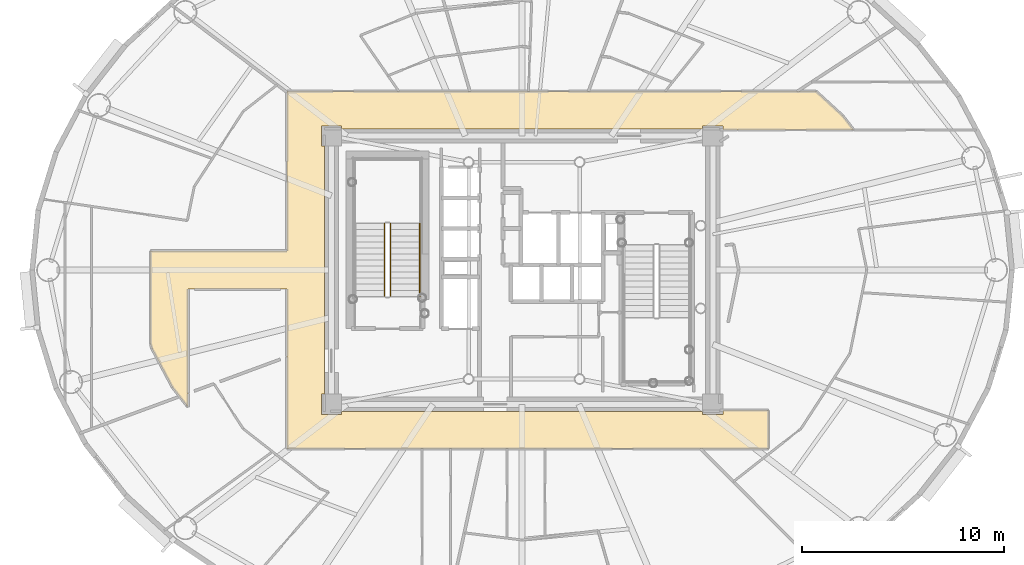
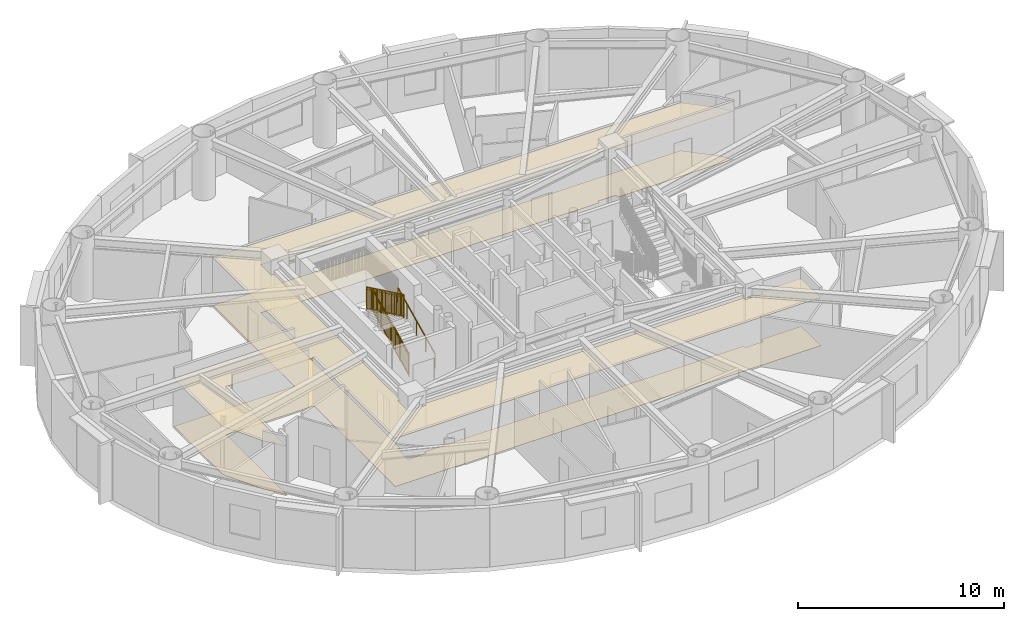
# One storey, part 14 of 19: 3 railings, 2 coverings.
"""IFC4 building model written with IfcOpenShell, lengths in metres."""

from ifc_helpers import new_model, si_unit, direction, frame, origin, origin_2d, place, context, subcontext, project, spatial, polyline, rectangle, outline, extrude, source, transform, mapped, material, layer, layer_set, type_object, element, save


model = new_model("IFC4")

# Units and contexts
model_context = context("Model", 3, precision=1e-05, world=origin(), true_north=direction((0.0, 1.0)))
body_context = subcontext(model_context, "Body", "Model", "MODEL_VIEW")
ifc_project = project(units=[si_unit("LENGTHUNIT", "METRE"), si_unit("AREAUNIT", "SQUARE_METRE"), si_unit("VOLUMEUNIT", "CUBIC_METRE"), si_unit("PLANEANGLEUNIT", "RADIAN"), si_unit("MASSUNIT", "GRAM", prefix="KILO")], contexts=[model_context])

# Site, building, storey
site_placement = place(None, origin())
site = spatial("IfcSite", under=ifc_project, at=site_placement, CompositionType="ELEMENT")
building_placement = place(site_placement, origin())
building = spatial("IfcBuilding", under=site, at=building_placement, Name="Linh Dai School and Residence Tower", CompositionType="ELEMENT")
storey_placement = place(building_placement, frame((0.0, 0.0, 217.800048828125)))
storey = spatial("IfcBuildingStorey", under=building, at=storey_placement, Name="L53", CompositionType="ELEMENT", Elevation=217.800048828125)

# Coverings
ifc_material_1 = material(Name="Mineral Fibre Acoustic Suspended Ceiling", Category="masonry")
ifc_layer_1 = layer(ifc_material_1, 0.02001953125)
ifc_layer_set_1 = layer_set([ifc_layer_1], Name="Mineral Fibre Acoustic Suspended Ceiling")
covering_type_1 = type_object("IfcCoveringType", Name="COV-CEIL-AC-20", PredefinedType="CEILING", material=ifc_layer_set_1)
covering_1_placement = place(storey_placement, frame((0.0, 0.0, 2.849853515625)))
element("IfcCovering", 1, at=covering_1_placement, inside=storey, type_object=covering_type_1, Name="L53 Residential Floor Corridor Suspended Ceiling", PredefinedType="CEILING", context=body_context, shape_type="SweptSolid", body=[
    extrude(outline(polyline([(19.449951171875, 20.211181640625), (18.6806640625, 21.1943359375), (17.66650390625, 23.111083984375), (17.60009765625, 23.327880859375), (17.60009765625, 27.949951171875), (24.35009765625, 27.949951171875), (24.35009765625, 35.85009765625), (50.56787109375, 35.85009765625), (51.873779296875, 34.65283203125), (52.423828125, 33.949951171875), (45.949951171875, 33.949951171875), (45.949951171875, 34.14990234375), (44.949951171875, 34.14990234375), (44.949951171875, 34.0), (27.050048828125, 34.0), (27.050048828125, 34.14990234375), (26.050048828125, 34.14990234375), (26.050048828125, 33.14990234375), (26.199951171875, 33.14990234375), (26.199951171875, 20.85009765625), (26.050048828125, 20.85009765625), (26.050048828125, 19.85009765625), (27.050048828125, 19.85009765625), (27.050048828125, 20.0), (44.949951171875, 20.0), (44.949951171875, 19.85009765625), (45.949951171875, 19.85009765625), (45.949951171875, 20.050048828125), (48.199951171875, 20.050048828125), (48.199951171875, 18.14990234375), (24.35009765625, 18.14990234375), (24.35009765625, 26.050048828125), (19.449951171875, 26.050048828125), (19.449951171875, 20.211181640625)])), origin(), (0.0, 0.0, 1.0), 0.02001953125),
])
ifc_material_2 = material(Name="Polished Terrazzo Floor Finish", Category="masonry")
ifc_layer_2 = layer(ifc_material_2, 0.02490234375)
ifc_layer_set_2 = layer_set([ifc_layer_2], Name="Polished Terrazzo Floor Finish")
covering_type_2 = type_object("IfcCoveringType", Name="COV-FLR-TRZ-25", PredefinedType="FLOORING", material=ifc_layer_set_2)
covering_2_placement = place(storey_placement, origin())
element("IfcCovering", 2, at=covering_2_placement, inside=storey, type_object=covering_type_2, Name="L53 Residential Floor Corridor Floor Finish", PredefinedType="FLOORING", context=body_context, shape_type="SweptSolid", body=[
    extrude(outline(polyline([(19.449951171875, 20.211181640625), (18.6806640625, 21.1943359375), (17.66650390625, 23.111083984375), (17.60009765625, 23.327880859375), (17.60009765625, 27.949951171875), (24.35009765625, 27.949951171875), (24.35009765625, 35.85009765625), (50.56787109375, 35.85009765625), (51.873779296875, 34.65283203125), (52.423828125, 33.949951171875), (45.949951171875, 33.949951171875), (45.949951171875, 34.14990234375), (44.949951171875, 34.14990234375), (44.949951171875, 34.0), (27.050048828125, 34.0), (27.050048828125, 34.14990234375), (26.050048828125, 34.14990234375), (26.050048828125, 33.14990234375), (26.199951171875, 33.14990234375), (26.199951171875, 20.85009765625), (26.050048828125, 20.85009765625), (26.050048828125, 19.85009765625), (27.050048828125, 19.85009765625), (27.050048828125, 20.0), (44.949951171875, 20.0), (44.949951171875, 19.85009765625), (45.949951171875, 19.85009765625), (45.949951171875, 20.050048828125), (48.199951171875, 20.050048828125), (48.199951171875, 18.14990234375), (24.35009765625, 18.14990234375), (24.35009765625, 26.050048828125), (19.449951171875, 26.050048828125), (19.449951171875, 20.211181640625)])), origin(), (0.0, 0.0, 1.0), 0.02001953125),
])

# Railings
ifc_material_3 = material(Name="Structural Steel S355JR", Category="steel")
railing_type_1 = type_object("IfcRailingType", Name="RL-ST-GUARD-1400", PredefinedType="GUARDRAIL", material=ifc_material_3)
shared_shape_1 = source(origin(), body_context, "Body", "SweptSolid", [
    extrude(rectangle(XDim=0.048095703125, YDim=0.048095703125, at=origin_2d()), frame((0.0, 0.0, 1.3759765625), z_axis=(0.0, 0.901262522062, 0.433273431364), x_axis=(-1.0, 0.0, 0.0)), (0.0, 0.0, 1.0), 3.994384765625),
    extrude(rectangle(XDim=0.048095703125, YDim=0.048095703125, at=origin_2d()), frame((0.0, 0.0, 0.10009765625), z_axis=(0.0, 0.901262522062, 0.433273431364), x_axis=(-1.0, 0.0, 0.0)), (0.0, 0.0, 1.0), 3.994384765625),
    extrude(rectangle(XDim=0.030029296875, YDim=0.030029296875, at=origin_2d()), frame((0.0, 0.0, 1.239990234375), z_axis=(0.0, 0.901262522062, 0.433273431364), x_axis=(-1.0, 0.0, 0.0)), (0.0, 0.0, 1.0), 3.994384765625),
    extrude(rectangle(XDim=0.02001953125, YDim=0.02001953125, at=origin_2d()), frame((0.0, 0.087890625, 0.142333984375)), (0.0, 0.0, 1.0), 1.251708984375),
    extrude(rectangle(XDim=0.02001953125, YDim=0.02001953125, at=origin_2d()), frame((0.0, 0.175537109375, 0.1845703125)), (0.0, 0.0, 1.0), 1.251708984375),
    extrude(rectangle(XDim=0.02001953125, YDim=0.02001953125, at=origin_2d()), frame((0.0, 0.263427734375, 0.226806640625)), (0.0, 0.0, 1.0), 1.251708984375),
    extrude(rectangle(XDim=0.02001953125, YDim=0.02001953125, at=origin_2d()), frame((0.0, 0.351318359375, 0.26904296875)), (0.0, 0.0, 1.0), 1.251708984375),
    extrude(rectangle(XDim=0.02001953125, YDim=0.02001953125, at=origin_2d()), frame((0.0, 0.43896484375, 0.311279296875)), (0.0, 0.0, 1.0), 1.251708984375),
    extrude(rectangle(XDim=0.02001953125, YDim=0.02001953125, at=origin_2d()), frame((0.0, 0.52685546875, 0.353271484375)), (0.0, 0.0, 1.0), 1.251708984375),
    extrude(rectangle(XDim=0.02001953125, YDim=0.02001953125, at=origin_2d()), frame((0.0, 0.61474609375, 0.3955078125)), (0.0, 0.0, 1.0), 1.251708984375),
    extrude(rectangle(XDim=0.02001953125, YDim=0.02001953125, at=origin_2d()), frame((0.0, 0.702392578125, 0.437744140625)), (0.0, 0.0, 1.0), 1.251708984375),
    extrude(rectangle(XDim=0.02001953125, YDim=0.02001953125, at=origin_2d()), frame((0.0, 0.790283203125, 0.47998046875)), (0.0, 0.0, 1.0), 1.251708984375),
    extrude(rectangle(XDim=0.02001953125, YDim=0.02001953125, at=origin_2d()), frame((0.0, 0.9658203125, 0.564453125)), (0.0, 0.0, 1.0), 1.251708984375),
    extrude(rectangle(XDim=0.02001953125, YDim=0.02001953125, at=origin_2d()), frame((0.0, 1.0537109375, 0.606689453125)), (0.0, 0.0, 1.0), 1.251708984375),
    extrude(rectangle(XDim=0.02001953125, YDim=0.02001953125, at=origin_2d()), frame((0.0, 1.1416015625, 0.64892578125)), (0.0, 0.0, 1.0), 1.251708984375),
    extrude(rectangle(XDim=0.02001953125, YDim=0.02001953125, at=origin_2d()), frame((0.0, 1.229248046875, 0.691162109375)), (0.0, 0.0, 1.0), 1.251708984375),
    extrude(rectangle(XDim=0.02001953125, YDim=0.02001953125, at=origin_2d()), frame((0.0, 1.317138671875, 0.7333984375)), (0.0, 0.0, 1.0), 1.251708984375),
    extrude(rectangle(XDim=0.02001953125, YDim=0.02001953125, at=origin_2d()), frame((0.0, 1.405029296875, 0.775390625)), (0.0, 0.0, 1.0), 1.251708984375),
    extrude(rectangle(XDim=0.02001953125, YDim=0.02001953125, at=origin_2d()), frame((0.0, 1.49267578125, 0.817626953125)), (0.0, 0.0, 1.0), 1.251708984375),
    extrude(rectangle(XDim=0.02001953125, YDim=0.02001953125, at=origin_2d()), frame((0.0, 1.58056640625, 0.85986328125)), (0.0, 0.0, 1.0), 1.251708984375),
    extrude(rectangle(XDim=0.02001953125, YDim=0.02001953125, at=origin_2d()), frame((0.0, 1.66845703125, 0.902099609375)), (0.0, 0.0, 1.0), 1.251708984375),
    extrude(rectangle(XDim=0.02001953125, YDim=0.02001953125, at=origin_2d()), frame((0.0, 1.756103515625, 0.9443359375)), (0.0, 0.0, 1.0), 1.251708984375),
    extrude(rectangle(XDim=0.02001953125, YDim=0.02001953125, at=origin_2d()), frame((0.0, 1.843994140625, 0.986572265625)), (0.0, 0.0, 1.0), 1.251708984375),
    extrude(rectangle(XDim=0.02001953125, YDim=0.02001953125, at=origin_2d()), frame((0.0, 1.931640625, 1.02880859375)), (0.0, 0.0, 1.0), 1.251708984375),
    extrude(rectangle(XDim=0.02001953125, YDim=0.02001953125, at=origin_2d()), frame((0.0, 2.01953125, 1.071044921875)), (0.0, 0.0, 1.0), 1.251708984375),
    extrude(rectangle(XDim=0.02001953125, YDim=0.02001953125, at=origin_2d()), frame((0.0, 2.107421875, 1.11328125)), (0.0, 0.0, 1.0), 1.251708984375),
    extrude(rectangle(XDim=0.02001953125, YDim=0.02001953125, at=origin_2d()), frame((0.0, 2.195068359375, 1.155517578125)), (0.0, 0.0, 1.0), 1.251708984375),
    extrude(rectangle(XDim=0.02001953125, YDim=0.02001953125, at=origin_2d()), frame((0.0, 2.282958984375, 1.197509765625)), (0.0, 0.0, 1.0), 1.251708984375),
    extrude(rectangle(XDim=0.02001953125, YDim=0.02001953125, at=origin_2d()), frame((0.0, 2.370849609375, 1.23974609375)), (0.0, 0.0, 1.0), 1.251708984375),
    extrude(rectangle(XDim=0.02001953125, YDim=0.02001953125, at=origin_2d()), frame((0.0, 2.45849609375, 1.281982421875)), (0.0, 0.0, 1.0), 1.251708984375),
    extrude(rectangle(XDim=0.02001953125, YDim=0.02001953125, at=origin_2d()), frame((0.0, 2.54638671875, 1.32421875)), (0.0, 0.0, 1.0), 1.251708984375),
    extrude(rectangle(XDim=0.02001953125, YDim=0.02001953125, at=origin_2d()), frame((0.0, 2.63427734375, 1.366455078125)), (0.0, 0.0, 1.0), 1.251708984375),
    extrude(rectangle(XDim=0.02001953125, YDim=0.02001953125, at=origin_2d()), frame((0.0, 2.809814453125, 1.450927734375)), (0.0, 0.0, 1.0), 1.251708984375),
    extrude(rectangle(XDim=0.02001953125, YDim=0.02001953125, at=origin_2d()), frame((0.0, 2.897705078125, 1.4931640625)), (0.0, 0.0, 1.0), 1.251708984375),
    extrude(rectangle(XDim=0.02001953125, YDim=0.02001953125, at=origin_2d()), frame((0.0, 2.9853515625, 1.535400390625)), (0.0, 0.0, 1.0), 1.251708984375),
    extrude(rectangle(XDim=0.02001953125, YDim=0.02001953125, at=origin_2d()), frame((0.0, 3.0732421875, 1.57763671875)), (0.0, 0.0, 1.0), 1.251708984375),
    extrude(rectangle(XDim=0.02001953125, YDim=0.02001953125, at=origin_2d()), frame((0.0, 3.1611328125, 1.61962890625)), (0.0, 0.0, 1.0), 1.251708984375),
    extrude(rectangle(XDim=0.02001953125, YDim=0.02001953125, at=origin_2d()), frame((0.0, 3.248779296875, 1.661865234375)), (0.0, 0.0, 1.0), 1.251708984375),
    extrude(rectangle(XDim=0.02001953125, YDim=0.02001953125, at=origin_2d()), frame((0.0, 3.336669921875, 1.7041015625)), (0.0, 0.0, 1.0), 1.251708984375),
    extrude(rectangle(XDim=0.02001953125, YDim=0.02001953125, at=origin_2d()), frame((0.0, 3.424560546875, 1.746337890625)), (0.0, 0.0, 1.0), 1.251708984375),
    extrude(rectangle(XDim=0.02001953125, YDim=0.02001953125, at=origin_2d()), frame((0.0, 3.51220703125, 1.78857421875)), (0.0, 0.0, 1.0), 1.251708984375),
    extrude(rectangle(XDim=0.0419921875, YDim=0.0419921875, at=origin_2d()), origin(), (0.0, 0.0, 1.0), 1.3759765625),
    extrude(rectangle(XDim=0.0419921875, YDim=0.0419921875, at=origin_2d()), frame((0.0, 0.89990234375, 0.4326171875)), (0.0, 0.0, 1.0), 1.3759765625),
    extrude(rectangle(XDim=0.0419921875, YDim=0.0419921875, at=origin_2d()), frame((0.0, 1.800048828125, 0.865234375)), (0.0, 0.0, 1.0), 1.3759765625),
    extrude(rectangle(XDim=0.0419921875, YDim=0.0419921875, at=origin_2d()), frame((0.0, 2.7001953125, 1.298095703125)), (0.0, 0.0, 1.0), 1.3759765625),
    extrude(rectangle(XDim=0.0419921875, YDim=0.0419921875, at=origin_2d()), frame((0.0, 3.60009765625, 1.730712890625)), (0.0, 0.0, 1.0), 1.3759765625),
])
railing_1_placement = place(storey_placement, frame((29.47998046875, 25.699951171875, 0.144287109375)))
element("IfcRailing", 3, at=railing_1_placement, inside=storey, type_object=railing_type_1, Name="L53 ST1 stair guard 1", PredefinedType="GUARDRAIL", context=body_context, shape_type="MappedRepresentation", body=[
    mapped(shared_shape_1, transform((0.0, 0.0, 0.0), x_axis=(1.0, 0.0, 0.0), y_axis=(0.0, 1.0, 0.0), z_axis=(0.0, 0.0, 1.0), scale=1.0)),
])
shared_shape_2 = source(origin(), body_context, "Body", "SweptSolid", [
    extrude(rectangle(XDim=0.048095703125, YDim=0.048095703125, at=origin_2d()), frame((0.0, 0.0, 1.3759765625), z_axis=(0.0, -0.901262522062, 0.433273431364), x_axis=(1.0, 0.0, 0.0)), (0.0, 0.0, 1.0), 3.994384765625),
    extrude(rectangle(XDim=0.048095703125, YDim=0.048095703125, at=origin_2d()), frame((0.0, 0.0, 0.10009765625), z_axis=(0.0, -0.901262522062, 0.433273431364), x_axis=(1.0, 0.0, 0.0)), (0.0, 0.0, 1.0), 3.994384765625),
    extrude(rectangle(XDim=0.030029296875, YDim=0.030029296875, at=origin_2d()), frame((0.0, 0.0, 1.239990234375), z_axis=(0.0, -0.901262522062, 0.433273431364), x_axis=(1.0, 0.0, 0.0)), (0.0, 0.0, 1.0), 3.994384765625),
    extrude(rectangle(XDim=0.02001953125, YDim=0.02001953125, at=origin_2d()), frame((0.0, -0.087890625, 0.142333984375)), (0.0, 0.0, 1.0), 1.251708984375),
    extrude(rectangle(XDim=0.02001953125, YDim=0.02001953125, at=origin_2d()), frame((0.0, -0.175537109375, 0.1845703125)), (0.0, 0.0, 1.0), 1.251708984375),
    extrude(rectangle(XDim=0.02001953125, YDim=0.02001953125, at=origin_2d()), frame((0.0, -0.263427734375, 0.226806640625)), (0.0, 0.0, 1.0), 1.251708984375),
    extrude(rectangle(XDim=0.02001953125, YDim=0.02001953125, at=origin_2d()), frame((0.0, -0.351318359375, 0.26904296875)), (0.0, 0.0, 1.0), 1.251708984375),
    extrude(rectangle(XDim=0.02001953125, YDim=0.02001953125, at=origin_2d()), frame((0.0, -0.43896484375, 0.311279296875)), (0.0, 0.0, 1.0), 1.251708984375),
    extrude(rectangle(XDim=0.02001953125, YDim=0.02001953125, at=origin_2d()), frame((0.0, -0.52685546875, 0.353271484375)), (0.0, 0.0, 1.0), 1.251708984375),
    extrude(rectangle(XDim=0.02001953125, YDim=0.02001953125, at=origin_2d()), frame((0.0, -0.61474609375, 0.3955078125)), (0.0, 0.0, 1.0), 1.251708984375),
    extrude(rectangle(XDim=0.02001953125, YDim=0.02001953125, at=origin_2d()), frame((0.0, -0.702392578125, 0.437744140625)), (0.0, 0.0, 1.0), 1.251708984375),
    extrude(rectangle(XDim=0.02001953125, YDim=0.02001953125, at=origin_2d()), frame((0.0, -0.790283203125, 0.47998046875)), (0.0, 0.0, 1.0), 1.251708984375),
    extrude(rectangle(XDim=0.02001953125, YDim=0.02001953125, at=origin_2d()), frame((0.0, -0.9658203125, 0.564453125)), (0.0, 0.0, 1.0), 1.251708984375),
    extrude(rectangle(XDim=0.02001953125, YDim=0.02001953125, at=origin_2d()), frame((0.0, -1.0537109375, 0.606689453125)), (0.0, 0.0, 1.0), 1.251708984375),
    extrude(rectangle(XDim=0.02001953125, YDim=0.02001953125, at=origin_2d()), frame((0.0, -1.1416015625, 0.64892578125)), (0.0, 0.0, 1.0), 1.251708984375),
    extrude(rectangle(XDim=0.02001953125, YDim=0.02001953125, at=origin_2d()), frame((0.0, -1.229248046875, 0.691162109375)), (0.0, 0.0, 1.0), 1.251708984375),
    extrude(rectangle(XDim=0.02001953125, YDim=0.02001953125, at=origin_2d()), frame((0.0, -1.317138671875, 0.7333984375)), (0.0, 0.0, 1.0), 1.251708984375),
    extrude(rectangle(XDim=0.02001953125, YDim=0.02001953125, at=origin_2d()), frame((0.0, -1.405029296875, 0.775390625)), (0.0, 0.0, 1.0), 1.251708984375),
    extrude(rectangle(XDim=0.02001953125, YDim=0.02001953125, at=origin_2d()), frame((0.0, -1.49267578125, 0.817626953125)), (0.0, 0.0, 1.0), 1.251708984375),
    extrude(rectangle(XDim=0.02001953125, YDim=0.02001953125, at=origin_2d()), frame((0.0, -1.58056640625, 0.85986328125)), (0.0, 0.0, 1.0), 1.251708984375),
    extrude(rectangle(XDim=0.02001953125, YDim=0.02001953125, at=origin_2d()), frame((0.0, -1.66845703125, 0.902099609375)), (0.0, 0.0, 1.0), 1.251708984375),
    extrude(rectangle(XDim=0.02001953125, YDim=0.02001953125, at=origin_2d()), frame((0.0, -1.756103515625, 0.9443359375)), (0.0, 0.0, 1.0), 1.251708984375),
    extrude(rectangle(XDim=0.02001953125, YDim=0.02001953125, at=origin_2d()), frame((0.0, -1.843994140625, 0.986572265625)), (0.0, 0.0, 1.0), 1.251708984375),
    extrude(rectangle(XDim=0.02001953125, YDim=0.02001953125, at=origin_2d()), frame((0.0, -1.931640625, 1.02880859375)), (0.0, 0.0, 1.0), 1.251708984375),
    extrude(rectangle(XDim=0.02001953125, YDim=0.02001953125, at=origin_2d()), frame((0.0, -2.01953125, 1.071044921875)), (0.0, 0.0, 1.0), 1.251708984375),
    extrude(rectangle(XDim=0.02001953125, YDim=0.02001953125, at=origin_2d()), frame((0.0, -2.107421875, 1.11328125)), (0.0, 0.0, 1.0), 1.251708984375),
    extrude(rectangle(XDim=0.02001953125, YDim=0.02001953125, at=origin_2d()), frame((0.0, -2.195068359375, 1.155517578125)), (0.0, 0.0, 1.0), 1.251708984375),
    extrude(rectangle(XDim=0.02001953125, YDim=0.02001953125, at=origin_2d()), frame((0.0, -2.282958984375, 1.197509765625)), (0.0, 0.0, 1.0), 1.251708984375),
    extrude(rectangle(XDim=0.02001953125, YDim=0.02001953125, at=origin_2d()), frame((0.0, -2.370849609375, 1.23974609375)), (0.0, 0.0, 1.0), 1.251708984375),
    extrude(rectangle(XDim=0.02001953125, YDim=0.02001953125, at=origin_2d()), frame((0.0, -2.45849609375, 1.281982421875)), (0.0, 0.0, 1.0), 1.251708984375),
    extrude(rectangle(XDim=0.02001953125, YDim=0.02001953125, at=origin_2d()), frame((0.0, -2.54638671875, 1.32421875)), (0.0, 0.0, 1.0), 1.251708984375),
    extrude(rectangle(XDim=0.02001953125, YDim=0.02001953125, at=origin_2d()), frame((0.0, -2.63427734375, 1.366455078125)), (0.0, 0.0, 1.0), 1.251708984375),
    extrude(rectangle(XDim=0.02001953125, YDim=0.02001953125, at=origin_2d()), frame((0.0, -2.809814453125, 1.450927734375)), (0.0, 0.0, 1.0), 1.251708984375),
    extrude(rectangle(XDim=0.02001953125, YDim=0.02001953125, at=origin_2d()), frame((0.0, -2.897705078125, 1.4931640625)), (0.0, 0.0, 1.0), 1.251708984375),
    extrude(rectangle(XDim=0.02001953125, YDim=0.02001953125, at=origin_2d()), frame((0.0, -2.9853515625, 1.535400390625)), (0.0, 0.0, 1.0), 1.251708984375),
    extrude(rectangle(XDim=0.02001953125, YDim=0.02001953125, at=origin_2d()), frame((0.0, -3.0732421875, 1.57763671875)), (0.0, 0.0, 1.0), 1.251708984375),
    extrude(rectangle(XDim=0.02001953125, YDim=0.02001953125, at=origin_2d()), frame((0.0, -3.1611328125, 1.61962890625)), (0.0, 0.0, 1.0), 1.251708984375),
    extrude(rectangle(XDim=0.02001953125, YDim=0.02001953125, at=origin_2d()), frame((0.0, -3.248779296875, 1.661865234375)), (0.0, 0.0, 1.0), 1.251708984375),
    extrude(rectangle(XDim=0.02001953125, YDim=0.02001953125, at=origin_2d()), frame((0.0, -3.336669921875, 1.7041015625)), (0.0, 0.0, 1.0), 1.251708984375),
    extrude(rectangle(XDim=0.02001953125, YDim=0.02001953125, at=origin_2d()), frame((0.0, -3.424560546875, 1.746337890625)), (0.0, 0.0, 1.0), 1.251708984375),
    extrude(rectangle(XDim=0.02001953125, YDim=0.02001953125, at=origin_2d()), frame((0.0, -3.51220703125, 1.78857421875)), (0.0, 0.0, 1.0), 1.251708984375),
    extrude(rectangle(XDim=0.0419921875, YDim=0.0419921875, at=origin_2d()), origin(), (0.0, 0.0, 1.0), 1.3759765625),
    extrude(rectangle(XDim=0.0419921875, YDim=0.0419921875, at=origin_2d()), frame((0.0, -0.89990234375, 0.4326171875)), (0.0, 0.0, 1.0), 1.3759765625),
    extrude(rectangle(XDim=0.0419921875, YDim=0.0419921875, at=origin_2d()), frame((0.0, -1.800048828125, 0.865234375)), (0.0, 0.0, 1.0), 1.3759765625),
    extrude(rectangle(XDim=0.0419921875, YDim=0.0419921875, at=origin_2d()), frame((0.0, -2.7001953125, 1.298095703125)), (0.0, 0.0, 1.0), 1.3759765625),
    extrude(rectangle(XDim=0.0419921875, YDim=0.0419921875, at=origin_2d()), frame((0.0, -3.60009765625, 1.730712890625)), (0.0, 0.0, 1.0), 1.3759765625),
])
railing_2_placement = place(storey_placement, frame((29.179931640625, 29.300048828125, 2.019287109375)))
element("IfcRailing", 4, at=railing_2_placement, inside=storey, type_object=railing_type_1, Name="L53 ST1 stair guard 6", PredefinedType="GUARDRAIL", context=body_context, shape_type="MappedRepresentation", body=[
    mapped(shared_shape_2, transform((0.0, 0.0, 0.0), x_axis=(1.0, 0.0, 0.0), y_axis=(0.0, 1.0, 0.0), z_axis=(0.0, 0.0, 1.0), scale=1.0)),
])
ifc_material_4 = material(Name="Brushed Stainless Steel Handrail", Category="steel")
railing_type_2 = type_object("IfcRailingType", Name="RL-ST-HANDRAIL-900", PredefinedType="HANDRAIL", material=ifc_material_4)
shared_shape_3 = source(origin(), body_context, "Body", "SweptSolid", [
    extrude(rectangle(XDim=0.048095703125, YDim=0.048095703125, at=origin_2d()), frame((0.0, 0.0, 0.8759765625), z_axis=(0.0, 0.901262522062, 0.433273431364), x_axis=(-1.0, 0.0, 0.0)), (0.0, 0.0, 1.0), 3.994384765625),
    extrude(rectangle(XDim=0.0419921875, YDim=0.0419921875, at=origin_2d()), origin(), (0.0, 0.0, 1.0), 0.8759765625),
    extrude(rectangle(XDim=0.0419921875, YDim=0.0419921875, at=origin_2d()), frame((0.0, 0.89990234375, 0.4326171875)), (0.0, 0.0, 1.0), 0.8759765625),
    extrude(rectangle(XDim=0.0419921875, YDim=0.0419921875, at=origin_2d()), frame((0.0, 1.800048828125, 0.865234375)), (0.0, 0.0, 1.0), 0.8759765625),
    extrude(rectangle(XDim=0.0419921875, YDim=0.0419921875, at=origin_2d()), frame((0.0, 2.7001953125, 1.298095703125)), (0.0, 0.0, 1.0), 0.8759765625),
    extrude(rectangle(XDim=0.0419921875, YDim=0.0419921875, at=origin_2d()), frame((0.0, 3.60009765625, 1.730712890625)), (0.0, 0.0, 1.0), 0.8759765625),
])
railing_3_placement = place(storey_placement, frame((30.929931640625, 25.699951171875, 0.144287109375)))
element("IfcRailing", 5, at=railing_3_placement, inside=storey, type_object=railing_type_2, Name="L53 ST1 stair handrail 1", PredefinedType="HANDRAIL", context=body_context, shape_type="MappedRepresentation", body=[
    mapped(shared_shape_3, transform((0.0, 0.0, 0.0), x_axis=(1.0, 0.0, 0.0), y_axis=(0.0, 1.0, 0.0), z_axis=(0.0, 0.0, 1.0), scale=1.0)),
])

save(model, "model.ifc")
